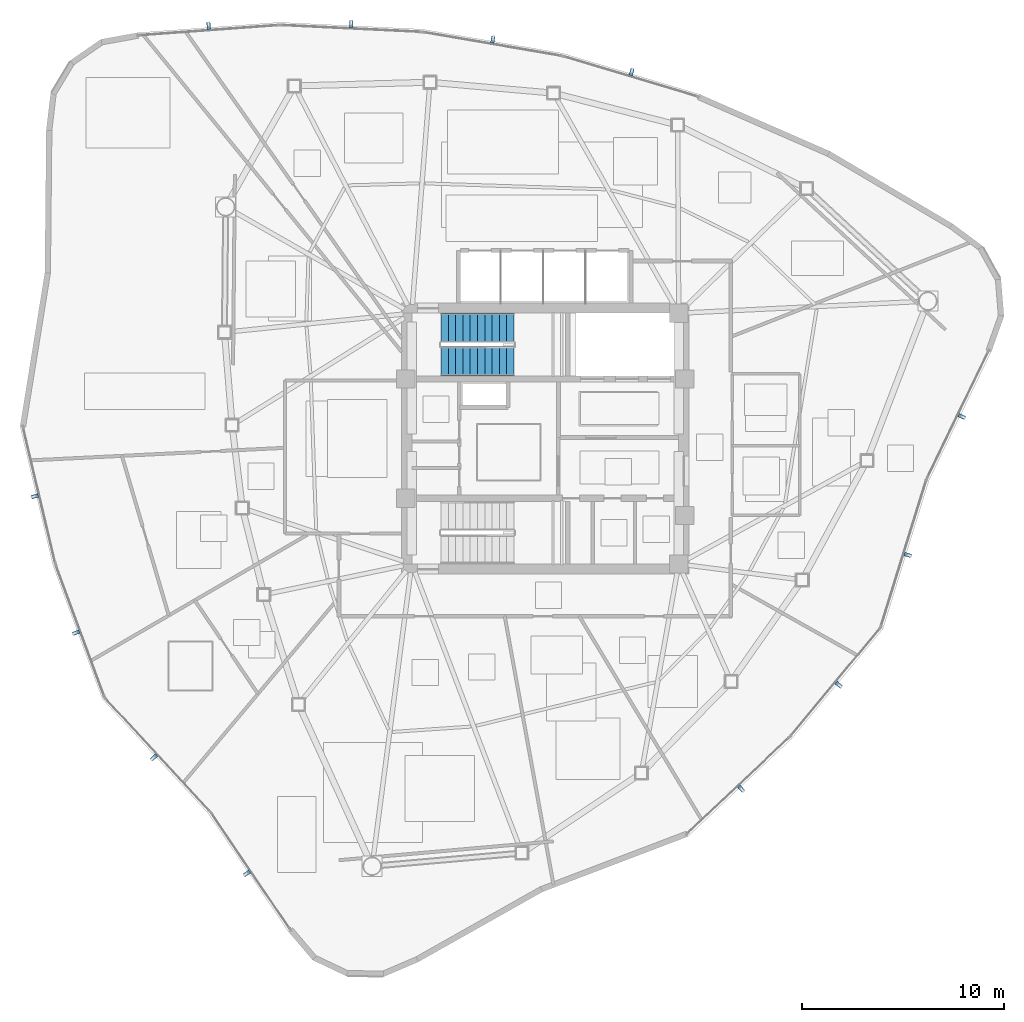
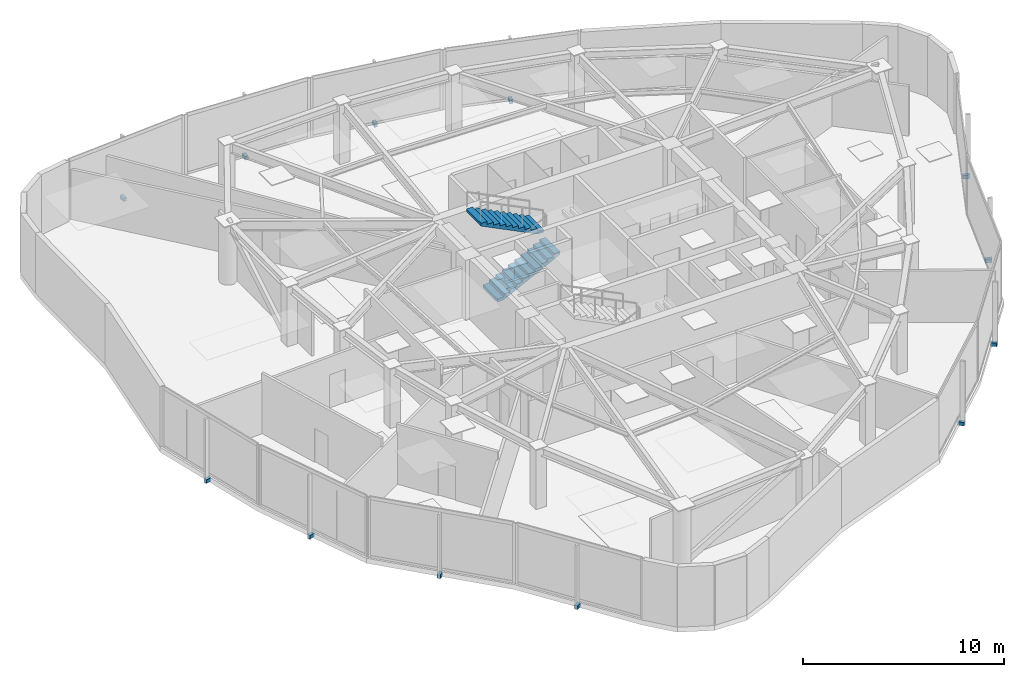
# One storey, part 10 of 13: 12 discrete accessories, 2 stair flights, 1 element without a shape of its own.
"""IFC4 building model written with IfcOpenShell, lengths in metres."""

import ifcopenshell
import ifcopenshell.guid

model = None  # the IFC model being written
_history = None  # IfcOwnerHistory: only IFC2X3 demands one
_inside = {}  # id of a spatial element -> (the spatial element, [elements in it])
_under = {}  # id of a project, library or spatial element -> (it, [spatial elements below it])
_declared = {}  # id of a project -> (the project, [libraries it declares])
_typed = {}  # id of a type object -> (the type object, [elements of that type])
_made_of = {}  # id of a material, layer set ... -> (it, [elements and type objects made of it])


def new_model(schema):
    """Start an empty IFC model of exactly this schema.

    Asked for "IFC4X3", IfcOpenShell would pick the latest addendum, in which some entities
    have other attributes; the version numbers below select the first issue.
    IFC2X3 requires an IfcOwnerHistory on every rooted entity: one is made here for all.
    """
    global model, _history
    if schema == "IFC4X3":
        model = ifcopenshell.file(schema_version=(4, 3, 0, 0))
    else:
        model = ifcopenshell.file(schema=schema)
    _inside.clear()
    _under.clear()
    _declared.clear()
    _typed.clear()
    _made_of.clear()
    _history = None
    if model.schema == "IFC2X3":
        org = make("IfcOrganization", Name="unknown")
        user = make(
            "IfcPersonAndOrganization",
            ThePerson=make("IfcPerson", FamilyName="unknown"),
            TheOrganization=org,
        )
        app = make(
            "IfcApplication",
            ApplicationDeveloper=org,
            Version="unknown",
            ApplicationFullName="unknown",
            ApplicationIdentifier="unknown",
        )
        _history = make(
            "IfcOwnerHistory",
            OwningUser=user,
            OwningApplication=app,
            ChangeAction="ADDED",
            CreationDate=0,
        )
    return model


def make(cls, **values):
    """One entity of the class cls with the attributes given. An attribute that is None is left unset."""
    return model.create_entity(
        cls, **{name: value for name, value in values.items() if value is not None}
    )


def rooted(cls, **values):
    """An entity with a GlobalId (a new one), such as an element, a storey or a relation."""
    return make(cls, GlobalId=ifcopenshell.guid.new(), OwnerHistory=_history, **values)


def si_unit(unit_type, name, prefix=None):
    """IfcSIUnit, for example si_unit("LENGTHUNIT", "METRE", prefix="MILLI")."""
    return make("IfcSIUnit", UnitType=unit_type, Prefix=prefix, Name=name)


def assignment(units):
    """IfcUnitAssignment: the units of a project."""
    return None if units is None else make("IfcUnitAssignment", Units=units)


def point(xyz):
    """IfcCartesianPoint."""
    return None if xyz is None else make("IfcCartesianPoint", Coordinates=xyz)


def direction(xyz):
    """IfcDirection."""
    return None if xyz is None else make("IfcDirection", DirectionRatios=xyz)


def frame(location, z_axis=None, x_axis=None):
    """IfcAxis2Placement3D, a coordinate frame: its origin and axes. An axis left out is left unset."""
    return make(
        "IfcAxis2Placement3D",
        Location=point(location),
        Axis=direction(z_axis),
        RefDirection=direction(x_axis),
    )


def frame_2d(location, x_axis=None):
    """IfcAxis2Placement2D, a coordinate frame in the plane: its origin and x axis."""
    return make(
        "IfcAxis2Placement2D", Location=point(location), RefDirection=direction(x_axis)
    )


def origin():
    """The frame at (0, 0, 0) with its axes left unset."""
    return frame((0.0, 0.0, 0.0))


def origin_2d():
    """The frame at (0, 0) in the plane with its x axis left unset."""
    return frame_2d((0.0, 0.0))


def place(relative_to, where):
    """IfcLocalPlacement: puts the frame where relative to a parent placement (None: the world)."""
    return make(
        "IfcLocalPlacement", PlacementRelTo=relative_to, RelativePlacement=where
    )


def context(
    kind, dimensions, precision=None, world=None, true_north=None, identifier=None
):
    """IfcGeometricRepresentationContext, for example the 3D "Model" context."""
    return make(
        "IfcGeometricRepresentationContext",
        ContextIdentifier=identifier,
        ContextType=kind,
        CoordinateSpaceDimension=dimensions,
        Precision=precision,
        WorldCoordinateSystem=world,
        TrueNorth=true_north,
    )


def subcontext(parent, identifier, kind, view, scale=None):
    """IfcGeometricRepresentationSubContext, for example "Body" below "Model"."""
    return make(
        "IfcGeometricRepresentationSubContext",
        ContextIdentifier=identifier,
        ContextType=kind,
        ParentContext=parent,
        TargetScale=scale,
        TargetView=view,
    )


def project(units=None, contexts=None):
    """IfcProject with its units and contexts."""
    return rooted(
        "IfcProject",
        Name="project",
        RepresentationContexts=contexts,
        UnitsInContext=assignment(units),
    )


def spatial(cls, under=None, at=None, **own):
    """A site, building, storey or space (cls), placed at a placement, below another one or the project."""
    s = rooted(cls, ObjectPlacement=at, **own)
    if under is not None:
        _under.setdefault(under.id(), (under, []))[1].append(s)
    return s


def polyline(points):
    """IfcPolyline through the points."""
    return make("IfcPolyline", Points=[point(p) for p in points])


def profile(cls, at=None, kind="AREA", **sizes):
    """A parametric profile (cls). Its sizes go by their IFC names, for example OverallWidth=200.0."""
    return make(cls, ProfileType=kind, Position=at, **sizes)


def rectangle(**sizes):
    """IfcRectangleProfileDef."""
    return profile("IfcRectangleProfileDef", **sizes)


def outline(outer, holes=None, kind="AREA"):
    """IfcArbitraryClosedProfileDef: a profile drawn as a closed curve; with holes, ...WithVoids."""
    if holes is None:
        return make("IfcArbitraryClosedProfileDef", ProfileType=kind, OuterCurve=outer)
    return make(
        "IfcArbitraryProfileDefWithVoids",
        ProfileType=kind,
        OuterCurve=outer,
        InnerCurves=holes,
    )


def extrude(swept, where, along, depth):
    """IfcExtrudedAreaSolid: the profile swept, set in the frame where, extruded along a direction by depth."""
    return make(
        "IfcExtrudedAreaSolid",
        SweptArea=swept,
        Position=where,
        ExtrudedDirection=direction(along),
        Depth=depth,
    )


def shape(context_of_items, identifier, shape_type, items):
    """IfcShapeRepresentation: the items that make up one representation, for example the "Body"."""
    return make(
        "IfcShapeRepresentation",
        ContextOfItems=context_of_items,
        RepresentationIdentifier=identifier,
        RepresentationType=shape_type,
        Items=items,
    )


def source(mapping_origin, context_of_items, identifier, shape_type, items):
    """IfcRepresentationMap: a shape defined once, which mapped items show again and again."""
    return make(
        "IfcRepresentationMap",
        MappingOrigin=mapping_origin,
        MappedRepresentation=shape(context_of_items, identifier, shape_type, items),
    )


def transform(
    local_origin,
    x_axis=None,
    y_axis=None,
    z_axis=None,
    scale=None,
    scale2=None,
    scale3=None,
    uniform=True,
):
    """IfcCartesianTransformationOperator3D, or its non-uniform kind. x_axis, y_axis, z_axis: its Axis1, 2, 3."""
    if uniform:
        return make(
            "IfcCartesianTransformationOperator3D",
            Axis1=direction(x_axis),
            Axis2=direction(y_axis),
            LocalOrigin=point(local_origin),
            Scale=scale,
            Axis3=direction(z_axis),
        )
    return make(
        "IfcCartesianTransformationOperator3DnonUniform",
        Axis1=direction(x_axis),
        Axis2=direction(y_axis),
        LocalOrigin=point(local_origin),
        Scale=scale,
        Axis3=direction(z_axis),
        Scale2=scale2,
        Scale3=scale3,
    )


def mapped(mapping_source, mapping_target):
    """IfcMappedItem: shows the shape of a source again, moved by a transform."""
    return make(
        "IfcMappedItem", MappingSource=mapping_source, MappingTarget=mapping_target
    )


def material(Name=None, Category=None):
    """IfcMaterial."""
    return make("IfcMaterial", Name=Name, Category=Category)


def made_of(thing, what):
    """Note that an element or type object is made of a material, layer set ...; save() writes the relation."""
    if what is not None:
        _made_of.setdefault(what.id(), (what, []))[1].append(thing)
    return thing


def type_object(cls, material=None, **own):
    """A type object (cls), such as IfcWallType, which elements share."""
    return made_of(rooted(cls, **own), material)


def type_shapes(of_type, sources):
    """Give a type object the sources (RepresentationMaps) that its elements show as mapped items."""
    of_type.RepresentationMaps = sources


def element(
    cls,
    number,
    at=None,
    inside=None,
    cuts=None,
    type_object=None,
    material=None,
    context=None,
    identifier="Body",
    shape_type=None,
    held_by="IfcProductDefinitionShape",
    body=None,
    shapes=None,
    **own,
):
    """One element of the class cls, such as IfcWall. Its Tag is "e" and its number.

    at: its placement. inside: the storey or other place that contains it. cuts: it is an
    opening in that element (IfcRelVoidsElement). A single representation is given by context,
    identifier, shape_type and body (its items); several are given by shapes. held_by: the class
    of the entity that holds the representations. save() writes the other relations.
    """
    e = rooted(cls, Tag="e%d" % number, ObjectPlacement=at, **own)
    if body is not None:
        shapes = [shape(context, identifier, shape_type, body)]
    if shapes is not None:
        e.Representation = make(held_by, Representations=shapes)
    if inside is not None:
        _inside.setdefault(inside.id(), (inside, []))[1].append(e)
    if cuts is not None:
        rooted(
            "IfcRelVoidsElement", RelatingBuildingElement=cuts, RelatedOpeningElement=e
        )
    if type_object is not None:
        _typed.setdefault(type_object.id(), (type_object, []))[1].append(e)
    return made_of(e, material)


def aggregate(whole, parts):
    """IfcRelAggregates: a whole, such as a stair, and the parts it consists of."""
    return rooted("IfcRelAggregates", RelatingObject=whole, RelatedObjects=parts)


def save(model, path):
    """Write the relations noted so far, then the file.

    IfcRelAggregates (storeys below a building ...), IfcRelContainedInSpatialStructure (elements
    in a storey), IfcRelDefinesByType, IfcRelAssociatesMaterial and IfcRelDeclares: one each for
    every whole, place, type object, material and project.
    """
    for whole, parts in _under.values():
        aggregate(whole, parts)
    for where, things in _inside.values():
        rooted(
            "IfcRelContainedInSpatialStructure",
            RelatedElements=things,
            RelatingStructure=where,
        )
    for kind, things in _typed.values():
        rooted("IfcRelDefinesByType", RelatedObjects=things, RelatingType=kind)
    for what, things in _made_of.values():
        rooted("IfcRelAssociatesMaterial", RelatedObjects=things, RelatingMaterial=what)
    for by, libraries in _declared.values():
        rooted("IfcRelDeclares", RelatingContext=by, RelatedDefinitions=libraries)
    model.write(path)


model = new_model("IFC4")

# Units and contexts
model_context = context("Model", 3, precision=1e-05, world=origin(), true_north=direction((0.0, 1.0)))
body_context = subcontext(model_context, "Body", "Model", "MODEL_VIEW")
ifc_project = project(units=[si_unit("LENGTHUNIT", "METRE"), si_unit("AREAUNIT", "SQUARE_METRE"), si_unit("VOLUMEUNIT", "CUBIC_METRE"), si_unit("PLANEANGLEUNIT", "RADIAN"), si_unit("MASSUNIT", "GRAM", prefix="KILO")], contexts=[model_context])

# Site, building, storey
site_placement = place(None, origin())
site = spatial("IfcSite", under=ifc_project, at=site_placement, CompositionType="ELEMENT")
building_placement = place(site_placement, origin())
building = spatial("IfcBuilding", under=site, at=building_placement, Name="Tavelor Broadcast Tower", CompositionType="ELEMENT")
storey_placement = place(building_placement, frame((0.0, 0.0, 237.949951171875)))
storey = spatial("IfcBuildingStorey", under=building, at=storey_placement, Name="L56", CompositionType="ELEMENT", Elevation=237.949951171875)

# Stair, stair flights
ifc_material_1 = material(Name="Concrete C40/50", Category="concrete")
stair_type = type_object("IfcStairType", Name="Reinforced Concrete Protected Dogleg Stair 1450 mm", PredefinedType="HALF_TURN_STAIR", material=ifc_material_1)
stair_placement = place(storey_placement, origin())
stair = element("IfcStair", 1, at=stair_placement, inside=storey, type_object=stair_type, Name="L56 Protected Core Exit Stair ST1", PredefinedType="HALF_TURN_STAIR")
stair_flight_type = type_object("IfcStairFlightType", Name="Reinforced Concrete Stair Flight 1450 mm", PredefinedType="STRAIGHT", material=ifc_material_1)
stair_flight_1_placement = place(storey_placement, frame((44.85009765625, 48.824951171875, 0.0), z_axis=(0.0, 0.0, 1.0), x_axis=(1.0, 0.0, 0.0)))
stair_flight_1 = element("IfcStairFlight", 2, at=stair_flight_1_placement, type_object=stair_flight_type, Name="ST1 flight 1", NumberOfRisers=11, NumberOfTreads=10, PredefinedType="STRAIGHT", RiserHeight=0.179545455, TreadLength=0.36, context=body_context, shape_type="SweptSolid", body=[
    extrude(outline(polyline([(0.0, 0.0), (0.0, 0.179443359375), (0.360107421875, 0.179443359375), (0.360107421875, 0.359130859375), (0.719970703125, 0.359130859375), (0.719970703125, 0.53857421875), (1.080078125, 0.53857421875), (1.080078125, 0.71826171875), (1.43994140625, 0.71826171875), (1.43994140625, 0.897705078125), (1.800048828125, 0.897705078125), (1.800048828125, 1.077392578125), (2.159912109375, 1.077392578125), (2.159912109375, 1.2568359375), (2.52001953125, 1.2568359375), (2.52001953125, 1.436279296875), (2.8798828125, 1.436279296875), (2.8798828125, 1.615966796875), (3.239990234375, 1.615966796875), (3.239990234375, 1.79541015625), (3.60009765625, 1.79541015625), (3.60009765625, 1.97509765625), (3.60009765625, 1.6279296875), (0.3359375, 0.0), (0.0, 0.0)])), frame((0.0, 0.72509765625, 0.0), z_axis=(0.0, -1.0, 0.0), x_axis=(1.0, 0.0, 0.0)), (0.0, 0.0, 1.0), 1.449951171875),
])
stair_flight_2_placement = place(storey_placement, frame((48.449951171875, 50.47509765625, 1.97509765625), z_axis=(0.0, 0.0, 1.0), x_axis=(-1.0, 0.0, 0.0)))
stair_flight_2 = element("IfcStairFlight", 3, at=stair_flight_2_placement, type_object=stair_flight_type, Name="ST1 flight 2", NumberOfRisers=11, NumberOfTreads=10, PredefinedType="STRAIGHT", RiserHeight=0.179545455, TreadLength=0.36, context=body_context, shape_type="SweptSolid", body=[
    extrude(outline(polyline([(0.0, 0.0), (0.0, 0.179443359375), (0.360107421875, 0.179443359375), (0.360107421875, 0.359130859375), (0.719970703125, 0.359130859375), (0.719970703125, 0.53857421875), (1.080078125, 0.53857421875), (1.080078125, 0.71826171875), (1.43994140625, 0.71826171875), (1.43994140625, 0.897705078125), (1.800048828125, 0.897705078125), (1.800048828125, 1.077392578125), (2.159912109375, 1.077392578125), (2.159912109375, 1.2568359375), (2.52001953125, 1.2568359375), (2.52001953125, 1.436279296875), (2.8798828125, 1.436279296875), (2.8798828125, 1.615966796875), (3.239990234375, 1.615966796875), (3.239990234375, 1.79541015625), (3.60009765625, 1.79541015625), (3.60009765625, 1.97509765625), (3.60009765625, 1.6279296875), (0.3359375, 0.0), (0.0, 0.0)])), frame((0.0, 0.72509765625, 0.0), z_axis=(0.0, -1.0, 0.0), x_axis=(1.0, 0.0, 0.0)), (0.0, 0.0, 1.0), 1.449951171875),
])
aggregate(stair, [stair_flight_1, stair_flight_2])

# Discrete accessories
ifc_material_2 = material(Name="Steel S355", Category="steel")
discrete_accessory_type = type_object("IfcDiscreteAccessoryType", Name="Stainless Baguette Outrigger Support Bracket 260x180", PredefinedType="BRACKET", material=ifc_material_2)
shared_shape = source(origin(), body_context, "Body", "SweptSolid", [
    extrude(rectangle(XDim=0.179931640625, YDim=0.340087890625, at=origin_2d()), origin(), (0.0, 0.0, 1.0), 0.216064453125),
])
type_shapes(discrete_accessory_type, [shared_shape])
for number, where, z_axis, x_axis, name in (
    (4, (24.761474609375, 42.14794921875, -0.2578125), (0.0, 0.0, 1.0), (0.230389426677, -0.973098510982, 0.0), "L56 Baguette Outrigger Bracket 577"),
    (5, (26.79833984375, 35.40087890625, -0.2578125), (0.0, 0.0, 1.0), (0.346608245445, -0.938009980858, 0.0), "L56 Baguette Outrigger Bracket 578"),
    (6, (30.654541015625, 29.235595703125, -0.2578125), (0.0, 0.0, 1.0), (0.678928898649, -0.734204025172, 0.0), "L56 Baguette Outrigger Bracket 579"),
    (7, (35.24560546875, 23.496826171875, -0.2578125), (0.0, 0.0, 1.0), (0.56179463803, -0.827276727994, 0.0), "L56 Baguette Outrigger Bracket 580"),
    (8, (59.689208984375, 27.686279296875, -0.2578125), (0.0, 0.0, 1.0), (0.727533317557, 0.686072351756, 0.0), "L56 Baguette Outrigger Bracket 581"),
    (9, (64.513916015625, 32.82421875, -0.2578125), (0.0, 0.0, 1.0), (0.639036349704, 0.769176536145, 0.0), "L56 Baguette Outrigger Bracket 582"),
    (10, (67.925048828125, 39.24609375, -0.2578125), (0.0, 0.0, 1.0), (0.296374888035, 0.95507168618, 0.0), "L56 Baguette Outrigger Bracket 583"),
    (11, (70.599365234375, 46.091552734375, -0.2578125), (0.0, 0.0, 1.0), (0.435545343388, 0.900166792241, 0.0), "L56 Baguette Outrigger Bracket 584"),
    (12, (54.269775390625, 63.12109375, -0.2578125), (0.0, 0.0, 1.0), (-0.957922744234, 0.287026159226, 0.0), "L56 Baguette Outrigger Bracket 585"),
    (13, (47.408203125, 64.730712890625, -0.2578125), (0.0, 0.0, 1.0), (-0.985644595149, 0.168833444713, 0.0), "L56 Baguette Outrigger Bracket 586"),
    (14, (40.40234375, 65.497802734375, -0.2578125), (0.0, 0.0, 1.0), (-0.998831578106, 0.048326789453, 0.0), "L56 Baguette Outrigger Bracket 587"),
    (15, (33.35498046875, 65.41162109375, -0.2578125), (0.0, 0.0, 1.0), (-0.997339981418, -0.072890064247, 0.0), "L56 Baguette Outrigger Bracket 588"),
):
    element("IfcDiscreteAccessory", number, at=place(storey_placement, frame(where, z_axis=z_axis, x_axis=x_axis)), inside=storey, type_object=discrete_accessory_type, Name=name, PredefinedType="BRACKET", context=body_context, shape_type="MappedRepresentation", body=[
        mapped(shared_shape, transform((0.0, 0.0, 0.0), scale=1.0)),
    ])

save(model, "model.ifc")
